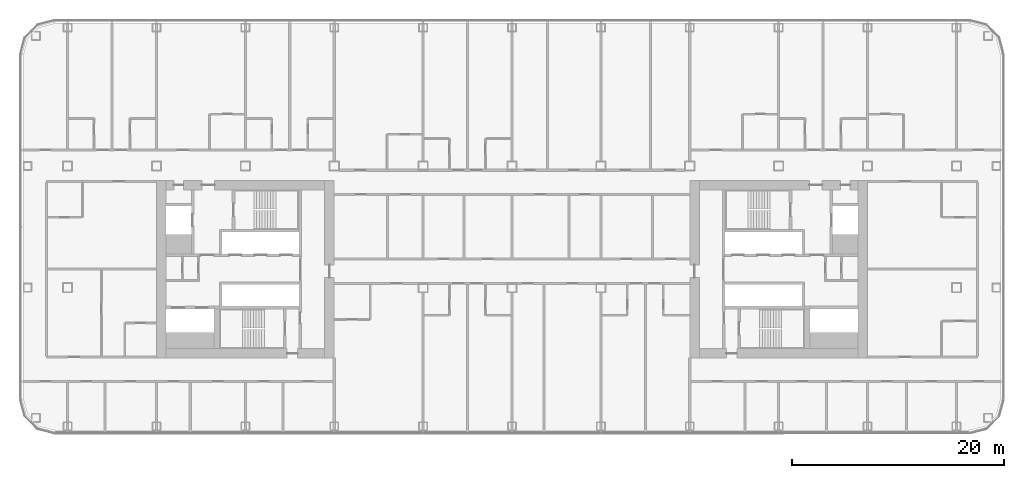
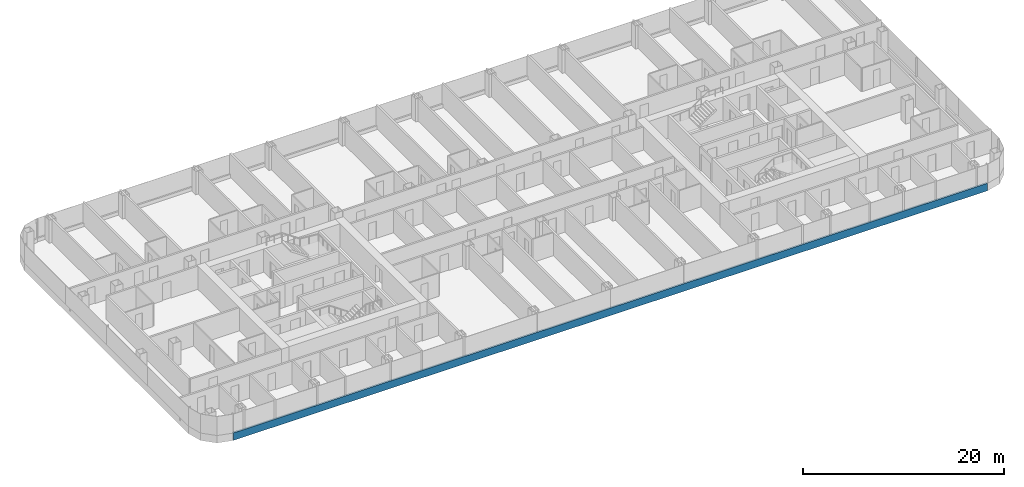
# One storey, part 5 of 29: 1 member, 1 element without a shape of its own.
"""IFC4 building model written with IfcOpenShell, lengths in metres."""

from ifc_helpers import new_model, si_unit, direction, frame, origin, origin_2d, place, context, subcontext, project, spatial, rectangle, extrude, material, layer, layer_set, material_profile, profile_set, type_object, element, aggregate, save


model = new_model("IFC4")

# Units and contexts
model_context = context("Model", 3, precision=1e-05, world=origin(), true_north=direction((0.0, 1.0)))
body_context = subcontext(model_context, "Body", "Model", "MODEL_VIEW")
ifc_project = project(units=[si_unit("LENGTHUNIT", "METRE"), si_unit("AREAUNIT", "SQUARE_METRE"), si_unit("VOLUMEUNIT", "CUBIC_METRE"), si_unit("PLANEANGLEUNIT", "RADIAN"), si_unit("MASSUNIT", "GRAM", prefix="KILO")], contexts=[model_context])

# Site, building, storey
site_placement = place(None, origin())
site = spatial("IfcSite", under=ifc_project, at=site_placement, CompositionType="ELEMENT")
building_placement = place(site_placement, origin())
building = spatial("IfcBuilding", under=site, at=building_placement, Name="Hakoniwa Tower and Hamabe Station Hall", CompositionType="ELEMENT")
storey_placement = place(building_placement, frame((0.0, 0.0, 97.800048828125)))
storey = spatial("IfcBuildingStorey", under=building, at=storey_placement, Name="L27", CompositionType="ELEMENT", Elevation=97.800048828125)

# Curtain wall, member
ifc_material_1 = material(Name="Dark low-e laminated glass", Category="glass")
ifc_layer = layer(ifc_material_1, 0.199951171875)
ifc_layer_set = layer_set([ifc_layer], Name="CW-1 UNITISED GUEST")
curtain_wall_type = type_object("IfcCurtainWallType", Name="CW-1 UNITISED GUEST", PredefinedType="NOTDEFINED", material=ifc_layer_set)
curtain_wall_placement = place(storey_placement, origin())
curtain_wall = element("IfcCurtainWall", 1, at=curtain_wall_placement, inside=storey, type_object=curtain_wall_type, Name="CW-1 curtain wall", PredefinedType="NOTDEFINED")
ifc_material_2 = material(Name="Aluminium 6063-T5 black anodised", Category="aluminium")
ifc_material_profile = material_profile(ifc_material_2, rectangle(XDim=0.199951171875, YDim=0.89990234375, at=origin_2d()), Name="CW SLAB-EDGE BAND 900X200")
ifc_profile_set = profile_set([ifc_material_profile], Name="Aluminium 6063-T5 black anodised")
member_type = type_object("IfcMemberType", Name="CW SLAB-EDGE BAND 900X200", PredefinedType="USERDEFINED", material=ifc_profile_set)
member_placement = place(storey_placement, frame((-43.239501953125, -15.449951171875, -0.10009765625), z_axis=(1.0, 0.0, 0.0), x_axis=(0.0, 1.0, 0.0)))
member = element("IfcMember", 2, at=member_placement, type_object=member_type, Name="CW-1 transom", ObjectType="TRANSOM", PredefinedType="USERDEFINED", context=body_context, shape_type="SweptSolid", body=[
    extrude(rectangle(XDim=0.199951171875, YDim=0.89990234375, at=origin_2d()), origin(), (0.0, 0.0, 1.0), 86.47900390625),
])
aggregate(curtain_wall, [member])

save(model, "model.ifc")
